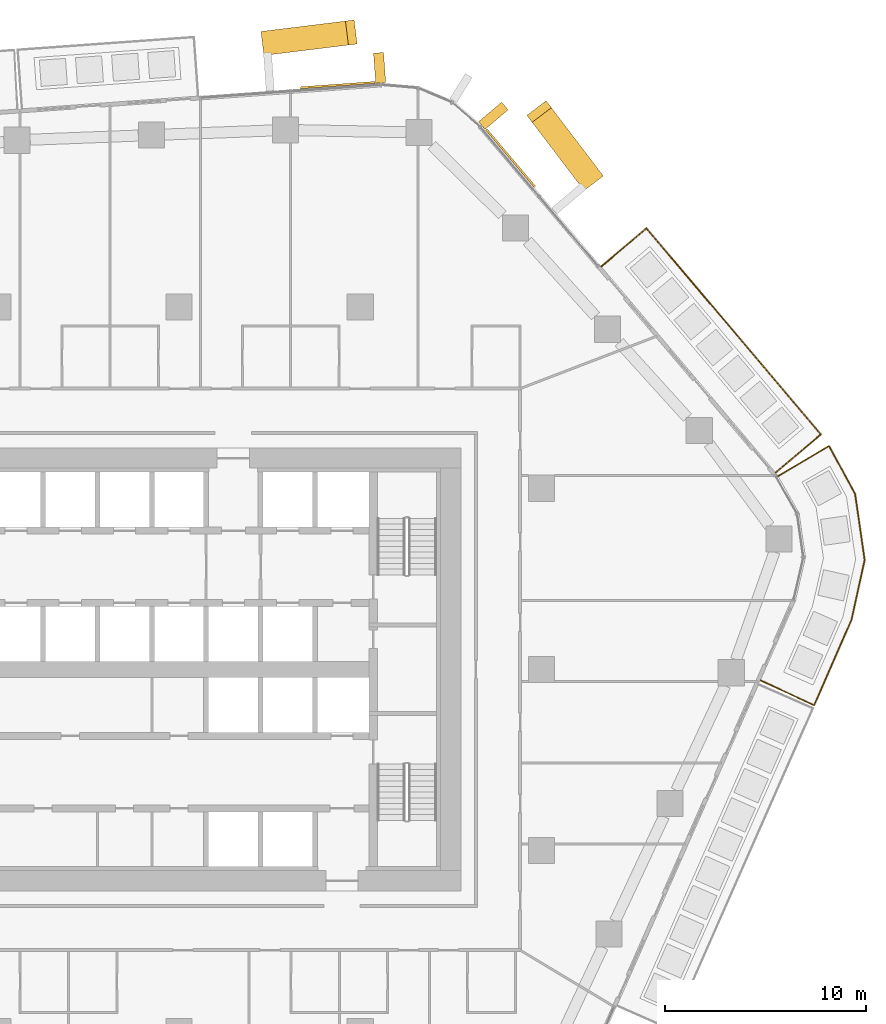
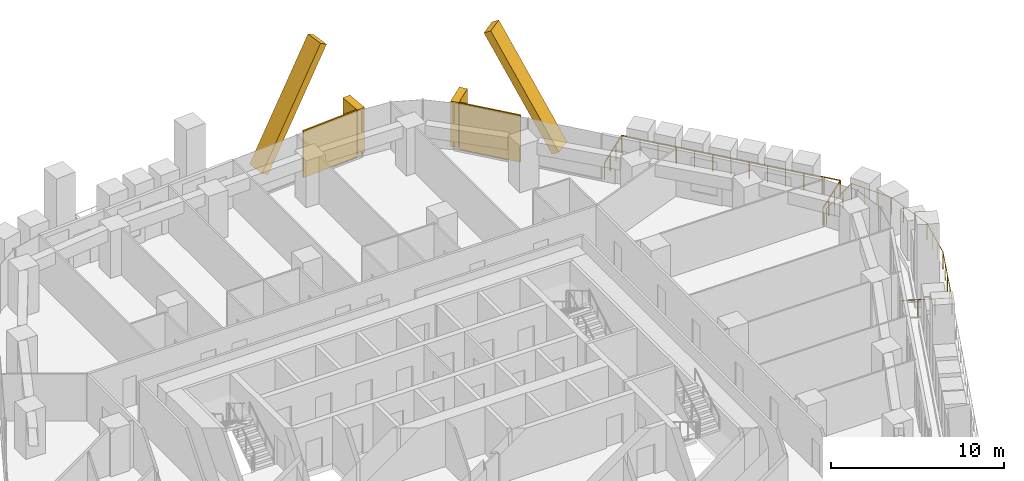
# One storey, part 24 of 24: 6 coverings, 2 railings, 2 elements without a shape of their own.
"""IFC4 building model written with IfcOpenShell, lengths in metres."""

from ifc_helpers import new_model, si_unit, direction, frame, origin, origin_2d, place, context, subcontext, project, spatial, rectangle, circle, extrude, material, layer, layer_set, material_profile, profile_set, type_object, element, aggregate, save


model = new_model("IFC4")

# Units and contexts
model_context = context("Model", 3, precision=1e-05, world=origin(), true_north=direction((0.0, 1.0)))
body_context = subcontext(model_context, "Body", "Model", "MODEL_VIEW")
ifc_project = project(units=[si_unit("LENGTHUNIT", "METRE"), si_unit("AREAUNIT", "SQUARE_METRE"), si_unit("VOLUMEUNIT", "CUBIC_METRE"), si_unit("PLANEANGLEUNIT", "RADIAN"), si_unit("MASSUNIT", "GRAM", prefix="KILO")], contexts=[model_context])

# Site, building, storey
site_placement = place(None, origin())
site = spatial("IfcSite", under=ifc_project, at=site_placement, CompositionType="ELEMENT")
building_placement = place(site_placement, origin())
building = spatial("IfcBuilding", under=site, at=building_placement, Name="Dongbaek Canopy Tower", CompositionType="ELEMENT")
storey_placement = place(building_placement, frame((0.0, 0.0, 113.699951171875)))
storey = spatial("IfcBuildingStorey", under=building, at=storey_placement, Name="L24", CompositionType="ELEMENT", Elevation=113.699951171875)

# Railings
ifc_material_1 = material(Name="Stainless steel", Category="steel")
railing_type = type_object("IfcRailingType", Name="Balcony balustrade 1200", PredefinedType="BALUSTRADE", material=ifc_material_1)
railing_1_placement = place(storey_placement, frame((29.637451171875, 9.777099609375, 0.0)))
element("IfcRailing", 1, at=railing_1_placement, inside=storey, type_object=railing_type, Name="Balcony guard L24 1", PredefinedType="BALUSTRADE", context=body_context, shape_type="SweptSolid", body=[
    extrude(circle(Radius=0.02392578125, at=origin_2d()), frame((0.0, 0.0, 1.17578125), z_axis=(0.763298084693, 0.646046464199, 0.0), x_axis=(-0.646046464199, 0.763298084693, 0.0)), (0.0, 0.0, 1.0), 2.93994140625),
    extrude(circle(Radius=0.02392578125, at=origin_2d()), frame((2.244140625, 1.8994140625, 1.17578125), z_axis=(-0.646054087916, 0.763291632004, 0.0), x_axis=(-0.763291632004, -0.646054087916, 0.0)), (0.0, 0.0, 1.0), 13.40478515625),
    extrude(circle(Radius=0.02392578125, at=origin_2d()), frame((-6.416015625, 12.131103515625, 1.17578125), z_axis=(-0.763298084693, -0.646046464199, 0.0), x_axis=(0.646046464199, -0.763298084693, 0.0)), (0.0, 0.0, 1.0), 2.93994140625),
    extrude(circle(Radius=0.02099609375, at=origin_2d()), origin(), (0.0, 0.0, 1.0), 1.15185546875),
    extrude(circle(Radius=0.02099609375, at=origin_2d()), frame((0.748046875, 0.633056640625, 0.0)), (0.0, 0.0, 1.0), 1.15185546875),
    extrude(circle(Radius=0.02099609375, at=origin_2d()), frame((1.49609375, 1.266357421875, 0.0)), (0.0, 0.0, 1.0), 1.15185546875),
    extrude(circle(Radius=0.02099609375, at=origin_2d()), frame((2.244140625, 1.8994140625, 0.0)), (0.0, 0.0, 1.0), 1.15185546875),
    extrude(circle(Radius=0.02099609375, at=origin_2d()), frame((1.5224609375, 2.751953125, 0.0)), (0.0, 0.0, 1.0), 1.15185546875),
    extrude(circle(Radius=0.02099609375, at=origin_2d()), frame((0.80078125, 3.604736328125, 0.0)), (0.0, 0.0, 1.0), 1.15185546875),
    extrude(circle(Radius=0.02099609375, at=origin_2d()), frame((0.0791015625, 4.457275390625, 0.0)), (0.0, 0.0, 1.0), 1.15185546875),
    extrude(circle(Radius=0.02099609375, at=origin_2d()), frame((-0.642578125, 5.31005859375, 0.0)), (0.0, 0.0, 1.0), 1.15185546875),
    extrude(circle(Radius=0.02099609375, at=origin_2d()), frame((-1.3642578125, 6.16259765625, 0.0)), (0.0, 0.0, 1.0), 1.15185546875),
    extrude(circle(Radius=0.02099609375, at=origin_2d()), frame((-2.0859375, 7.01513671875, 0.0)), (0.0, 0.0, 1.0), 1.15185546875),
    extrude(circle(Radius=0.02099609375, at=origin_2d()), frame((-2.8076171875, 7.867919921875, 0.0)), (0.0, 0.0, 1.0), 1.15185546875),
    extrude(circle(Radius=0.02099609375, at=origin_2d()), frame((-3.529296875, 8.720458984375, 0.0)), (0.0, 0.0, 1.0), 1.15185546875),
    extrude(circle(Radius=0.02099609375, at=origin_2d()), frame((-4.2509765625, 9.5732421875, 0.0)), (0.0, 0.0, 1.0), 1.15185546875),
    extrude(circle(Radius=0.02099609375, at=origin_2d()), frame((-4.97265625, 10.42578125, 0.0)), (0.0, 0.0, 1.0), 1.15185546875),
    extrude(circle(Radius=0.02099609375, at=origin_2d()), frame((-5.6943359375, 11.278564453125, 0.0)), (0.0, 0.0, 1.0), 1.15185546875),
    extrude(circle(Radius=0.02099609375, at=origin_2d()), frame((-6.416015625, 12.131103515625, 0.0)), (0.0, 0.0, 1.0), 1.15185546875),
    extrude(circle(Radius=0.02099609375, at=origin_2d()), frame((-7.1640625, 11.498046875, 0.0)), (0.0, 0.0, 1.0), 1.15185546875),
    extrude(circle(Radius=0.02099609375, at=origin_2d()), frame((-7.912109375, 10.86474609375, 0.0)), (0.0, 0.0, 1.0), 1.15185546875),
    extrude(circle(Radius=0.02099609375, at=origin_2d()), frame((-8.66015625, 10.231689453125, 0.0)), (0.0, 0.0, 1.0), 1.15185546875),
])
railing_2_placement = place(storey_placement, frame((28.88330078125, -0.54150390625, 0.0)))
element("IfcRailing", 2, at=railing_2_placement, inside=storey, type_object=railing_type, Name="Balcony guard L24 6", PredefinedType="BALUSTRADE", context=body_context, shape_type="SweptSolid", body=[
    extrude(circle(Radius=0.02392578125, at=origin_2d()), frame((0.0, 0.0, 1.17578125), z_axis=(0.906642839812, -0.421898993858, 0.0), x_axis=(0.421898993858, 0.906642839812, 0.0)), (0.0, 0.0, 1.0), 2.94091796875),
    extrude(circle(Radius=0.02392578125, at=origin_2d()), frame((2.666259765625, -1.24072265625, 1.17578125), z_axis=(0.400763602333, 0.916181496782, 0.0), x_axis=(-0.916181496782, 0.400763602333, 0.0)), (0.0, 0.0, 1.0), 4.6376953125),
    extrude(circle(Radius=0.02392578125, at=origin_2d()), frame((4.52490234375, 3.00830078125, 1.17578125), z_axis=(0.214659556171, 0.976688934587, 0.0), x_axis=(-0.976688934587, 0.214659556171, 0.0)), (0.0, 0.0, 1.0), 3.0400390625),
    extrude(circle(Radius=0.02392578125, at=origin_2d()), frame((5.177490234375, 5.9775390625, 1.17578125), z_axis=(-0.143186259677, 0.989695758827, 0.0), x_axis=(-0.989695758827, -0.143186259677, 0.0)), (0.0, 0.0, 1.0), 3.311279296875),
    extrude(circle(Radius=0.02392578125, at=origin_2d()), frame((4.703369140625, 9.254638671875, 1.17578125), z_axis=(-0.47715135233, 0.878821134799, 0.0), x_axis=(-0.878821134799, -0.47715135233, 0.0)), (0.0, 0.0, 1.0), 2.717041015625),
    extrude(circle(Radius=0.02392578125, at=origin_2d()), frame((3.406982421875, 11.642333984375, 1.17578125), z_axis=(-0.859471809309, -0.511183146244, 0.0), x_axis=(0.511183146244, -0.859471809309, 0.0)), (0.0, 0.0, 1.0), 2.940673828125),
    extrude(circle(Radius=0.02099609375, at=origin_2d()), origin(), (0.0, 0.0, 1.0), 1.15185546875),
    extrude(circle(Radius=0.02099609375, at=origin_2d()), frame((0.888671875, -0.41357421875, 0.0)), (0.0, 0.0, 1.0), 1.15185546875),
    extrude(circle(Radius=0.02099609375, at=origin_2d()), frame((1.777587890625, -0.8271484375, 0.0)), (0.0, 0.0, 1.0), 1.15185546875),
    extrude(circle(Radius=0.02099609375, at=origin_2d()), frame((2.666259765625, -1.24072265625, 0.0)), (0.0, 0.0, 1.0), 1.15185546875),
    extrude(circle(Radius=0.02099609375, at=origin_2d()), frame((3.130859375, -0.178466796875, 0.0)), (0.0, 0.0, 1.0), 1.15185546875),
    extrude(circle(Radius=0.02099609375, at=origin_2d()), frame((3.595703125, 0.8837890625, 0.0)), (0.0, 0.0, 1.0), 1.15185546875),
    extrude(circle(Radius=0.02099609375, at=origin_2d()), frame((4.060302734375, 1.946044921875, 0.0)), (0.0, 0.0, 1.0), 1.15185546875),
    extrude(circle(Radius=0.02099609375, at=origin_2d()), frame((4.52490234375, 3.00830078125, 0.0)), (0.0, 0.0, 1.0), 1.15185546875),
    extrude(circle(Radius=0.02099609375, at=origin_2d()), frame((4.742431640625, 3.998046875, 0.0)), (0.0, 0.0, 1.0), 1.15185546875),
    extrude(circle(Radius=0.02099609375, at=origin_2d()), frame((4.9599609375, 4.98779296875, 0.0)), (0.0, 0.0, 1.0), 1.15185546875),
    extrude(circle(Radius=0.02099609375, at=origin_2d()), frame((5.177490234375, 5.9775390625, 0.0)), (0.0, 0.0, 1.0), 1.15185546875),
    extrude(circle(Radius=0.02099609375, at=origin_2d()), frame((5.01953125, 7.06982421875, 0.0)), (0.0, 0.0, 1.0), 1.15185546875),
    extrude(circle(Radius=0.02099609375, at=origin_2d()), frame((4.861328125, 8.162353515625, 0.0)), (0.0, 0.0, 1.0), 1.15185546875),
    extrude(circle(Radius=0.02099609375, at=origin_2d()), frame((4.703369140625, 9.254638671875, 0.0)), (0.0, 0.0, 1.0), 1.15185546875),
    extrude(circle(Radius=0.02099609375, at=origin_2d()), frame((4.271240234375, 10.050537109375, 0.0)), (0.0, 0.0, 1.0), 1.15185546875),
    extrude(circle(Radius=0.02099609375, at=origin_2d()), frame((3.839111328125, 10.846435546875, 0.0)), (0.0, 0.0, 1.0), 1.15185546875),
    extrude(circle(Radius=0.02099609375, at=origin_2d()), frame((3.406982421875, 11.642333984375, 0.0)), (0.0, 0.0, 1.0), 1.15185546875),
    extrude(circle(Radius=0.02099609375, at=origin_2d()), frame((2.564453125, 11.141357421875, 0.0)), (0.0, 0.0, 1.0), 1.15185546875),
    extrude(circle(Radius=0.02099609375, at=origin_2d()), frame((1.72216796875, 10.64013671875, 0.0)), (0.0, 0.0, 1.0), 1.15185546875),
    extrude(circle(Radius=0.02099609375, at=origin_2d()), frame((0.879638671875, 10.13916015625, 0.0)), (0.0, 0.0, 1.0), 1.15185546875),
])

# Curtain wall, covering
ifc_material_2 = material(Name="Aluminium 6063-T6 pale anodised", Category="aluminium")
ifc_layer_1 = layer(ifc_material_2, 0.199951171875)
ifc_layer_set_1 = layer_set([ifc_layer_1], Name="CW-1 unitised tower curtain wall")
curtain_wall_type = type_object("IfcCurtainWallType", Name="CW-1 unitised tower curtain wall", PredefinedType="NOTDEFINED", material=ifc_layer_set_1)
curtain_wall_1_placement = place(storey_placement, origin())
curtain_wall_1 = element("IfcCurtainWall", 3, at=curtain_wall_1_placement, inside=storey, type_object=curtain_wall_type, Name="CW-1 curtain wall F0.1", PredefinedType="NOTDEFINED")
ifc_material_3 = material(Name="Aluminium 6063-T6 pale metal fin", Category="aluminium")
ifc_material_profile_1 = material_profile(ifc_material_3, rectangle(XDim=1.199951171875, YDim=0.5, at=origin_2d()), Name="Crease fin CF1 500 x 1200 pale metal")
ifc_profile_set_1 = profile_set([ifc_material_profile_1], Name="Aluminium 6063-T6 pale metal fin")
covering_type_1 = type_object("IfcCoveringType", Name="Crease fin CF1 500 x 1200 pale metal", PredefinedType="CLADDING", material=ifc_profile_set_1)
covering_1_placement = place(storey_placement, frame((20.470703125, 24.32080078125, -0.199951171875), z_axis=(-0.302293393691, 0.397206772456, 0.866513406732), x_axis=(-0.795760289786, -0.605611724787, 0.0)))
covering_1 = element("IfcCovering", 4, at=covering_1_placement, type_object=covering_type_1, Name="Crease fin L24 L26 F0", PredefinedType="CLADDING", context=body_context, shape_type="SweptSolid", body=[
    extrude(rectangle(XDim=1.199951171875, YDim=0.5, at=origin_2d()), origin(), (0.0, 0.0, 1.0), 8.539794921875),
])

curtain_wall_2_placement = place(storey_placement, origin())
curtain_wall_2 = element("IfcCurtainWall", 5, at=curtain_wall_2_placement, inside=storey, type_object=curtain_wall_type, Name="CW-1 curtain wall F1.1", PredefinedType="NOTDEFINED")
covering_2_placement = place(storey_placement, frame((4.359375, 31.12109375, -0.199951171875), z_axis=(0.492610367889, 0.060663338519, 0.868133045568), x_axis=(-0.122223416132, 0.992502612868, 0.0)))
covering_2 = element("IfcCovering", 6, at=covering_2_placement, type_object=covering_type_1, Name="Crease fin L24 L26 F1", PredefinedType="CLADDING", context=body_context, shape_type="SweptSolid", body=[
    extrude(rectangle(XDim=1.199951171875, YDim=0.5, at=origin_2d()), origin(), (0.0, 0.0, 1.0), 8.52392578125),
])

# Covering
ifc_material_4 = material(Name="Perforated aluminium 6063-T6 pale metal screen", Category="aluminium")
ifc_layer_2 = layer(ifc_material_4, 0.10009765625)
ifc_layer_set_2 = layer_set([ifc_layer_2], Name="Facet screen FS1 100 pale metal")
covering_type_2 = type_object("IfcCoveringType", Name="Facet screen FS1 100 pale metal", PredefinedType="CLADDING", material=ifc_layer_set_2)
covering_3_placement = place(storey_placement, frame((16.472412109375, 25.402587890625, 0.0), z_axis=(0.0, 0.0, 1.0), x_axis=(-0.646056040394, 0.763289979412, 0.0)))
covering_3 = element("IfcCovering", 7, at=covering_3_placement, type_object=covering_type_2, Name="Facet screen L24 F0", PredefinedType="CLADDING", context=body_context, shape_type="SweptSolid", body=[
    extrude(rectangle(XDim=3.735107421875, YDim=0.10009765625, at=origin_2d()), origin(), (0.0, 0.0, 1.0), 3.300048828125),
])

covering_4_placement = place(storey_placement, frame((7.881591796875, 29.025634765625, 0.0), z_axis=(0.0, 0.0, 1.0), x_axis=(-0.99742315782, -0.071742903788, 0.0)))
covering_4 = element("IfcCovering", 8, at=covering_4_placement, type_object=covering_type_2, Name="Facet screen L24 F1", PredefinedType="CLADDING", context=body_context, shape_type="SweptSolid", body=[
    extrude(rectangle(XDim=3.701416015625, YDim=0.10009765625, at=origin_2d()), origin(), (0.0, 0.0, 1.0), 3.300048828125),
])

ifc_material_5 = material(Name="Aluminium 6063-T6 pale metal fin", Category="aluminium")
ifc_material_profile_2 = material_profile(ifc_material_5, rectangle(XDim=1.5, YDim=0.5, at=origin_2d()), Name="Fin FN1 500 x 1500 pale metal")
ifc_profile_set_2 = profile_set([ifc_material_profile_2], Name="Aluminium 6063-T6 pale metal fin")
covering_type_3 = type_object("IfcCoveringType", Name="Fin FN1 500 x 1500 pale metal", PredefinedType="CLADDING", material=ifc_profile_set_2)
covering_5_placement = place(storey_placement, frame((15.61572265625, 27.50439453125, 0.1201171875), z_axis=(0.0, 0.0, 1.0), x_axis=(0.763289924972, 0.646056104712, 0.0)))
covering_5 = element("IfcCovering", 9, at=covering_5_placement, type_object=covering_type_3, Name="Fin F0.1.3", PredefinedType="CLADDING", context=body_context, shape_type="SweptSolid", body=[
    extrude(rectangle(XDim=1.5, YDim=0.5, at=origin_2d()), origin(), (0.0, 0.0, 1.0), 3.179931640625),
])

aggregate(curtain_wall_1, [covering_5, covering_1, covering_3])

covering_6_placement = place(storey_placement, frame((9.96630859375, 29.88134765625, 0.1201171875), z_axis=(0.0, 0.0, 1.0), x_axis=(-0.071742796309, 0.997423165551, 0.0)))
covering_6 = element("IfcCovering", 10, at=covering_6_placement, type_object=covering_type_3, Name="Fin F1.1.1", PredefinedType="CLADDING", context=body_context, shape_type="SweptSolid", body=[
    extrude(rectangle(XDim=1.5, YDim=0.5, at=origin_2d()), origin(), (0.0, 0.0, 1.0), 3.179931640625),
])

aggregate(curtain_wall_2, [covering_6, covering_2, covering_4])

save(model, "model.ifc")
